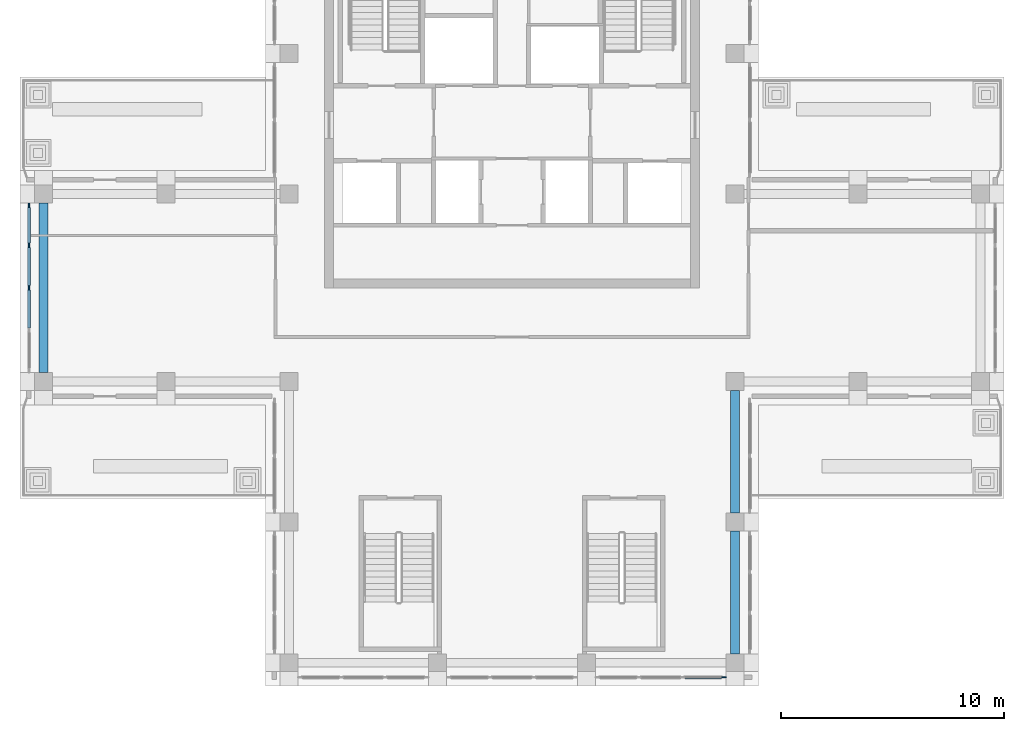
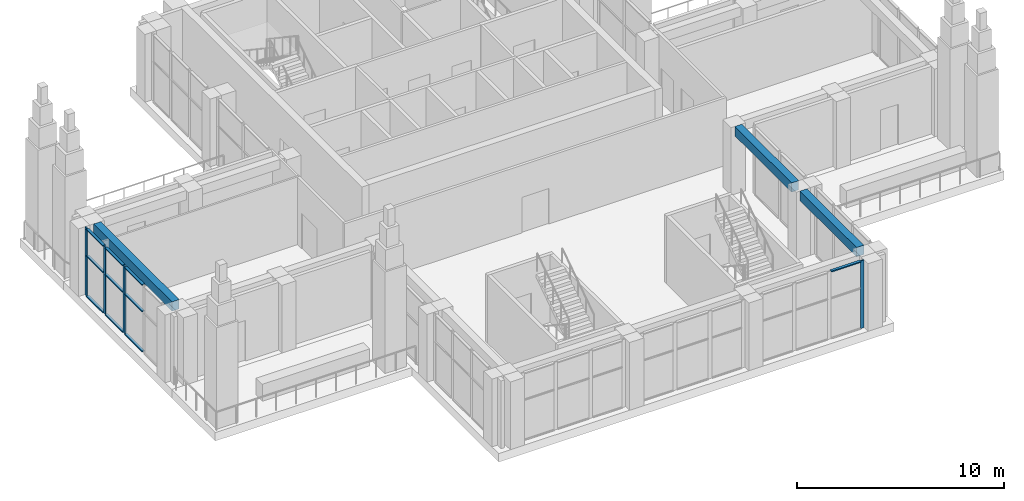
# One storey, part 3 of 14: 14 members, 3 beams, 2 elements without a shape of their own.
"""IFC4 building model written with IfcOpenShell, lengths in metres."""

from ifc_helpers import new_model, si_unit, direction, frame, origin, origin_2d, place, context, subcontext, project, spatial, rectangle, extrude, material, material_profile, profile_set, type_object, element, aggregate, save


model = new_model("IFC4")

# Units and contexts
model_context = context("Model", 3, precision=1e-05, world=origin(), true_north=direction((0.0, 1.0)))
body_context = subcontext(model_context, "Body", "Model", "MODEL_VIEW")
ifc_project = project(units=[si_unit("LENGTHUNIT", "METRE"), si_unit("AREAUNIT", "SQUARE_METRE"), si_unit("VOLUMEUNIT", "CUBIC_METRE"), si_unit("PLANEANGLEUNIT", "RADIAN"), si_unit("MASSUNIT", "GRAM", prefix="KILO")], contexts=[model_context])

# Site, building, storey
site_placement = place(None, origin())
site = spatial("IfcSite", under=ifc_project, at=site_placement, CompositionType="ELEMENT")
building_placement = place(site_placement, origin())
building = spatial("IfcBuilding", under=site, at=building_placement, Name="Vermilion Ogive Tower", CompositionType="ELEMENT")
storey_placement = place(building_placement, frame((0.0, 0.0, 284.85009765625)))
storey = spatial("IfcBuildingStorey", under=building, at=storey_placement, Name="L74", CompositionType="ELEMENT", Elevation=284.85009765625)

# Curtain wall, member
ifc_material_1 = material(Name="Low-iron laminated glazing in aluminium frame", Category="aluminium")
curtain_wall_type = type_object("IfcCurtainWallType", Name="Curtain wall CW3", PredefinedType="NOTDEFINED", material=ifc_material_1)
curtain_wall_1_placement = place(storey_placement, origin())
curtain_wall_1 = element("IfcCurtainWall", 1, at=curtain_wall_1_placement, inside=storey, type_object=curtain_wall_type, Name="CW3 glazing S3", PredefinedType="NOTDEFINED")
ifc_material_2 = material(Name="Aluminium mullion", Category="aluminium")
ifc_material_profile_1 = material_profile(ifc_material_2, rectangle(XDim=0.06005859375, YDim=0.199951171875, at=origin_2d()), Name="AL 60x200")
ifc_profile_set_1 = profile_set([ifc_material_profile_1], Name="Aluminium mullion")
member_type_1 = type_object("IfcMemberType", Name="CW3 mullion 60x200", PredefinedType="MULLION", material=ifc_profile_set_1)
member_1_placement = place(storey_placement, frame((9.5, -13.25, 0.0), z_axis=(0.0, 0.0, 1.0), x_axis=(0.0, 1.0, 0.0)))
member_1 = element("IfcMember", 2, at=member_1_placement, type_object=member_type_1, Name="CW3-S3 mullion 4", PredefinedType="MULLION", context=body_context, shape_type="SweptSolid", body=[
    extrude(rectangle(XDim=0.06005859375, YDim=0.199951171875, at=origin_2d()), origin(), (0.0, 0.0, 1.0), 4.0),
])

# Curtain wall, members
curtain_wall_2_placement = place(storey_placement, origin())
curtain_wall_2 = element("IfcCurtainWall", 3, at=curtain_wall_2_placement, inside=storey, type_object=curtain_wall_type, Name="CW3 glazing W1", PredefinedType="NOTDEFINED")
member_2_placement = place(storey_placement, frame((-21.64990234375, 7.89990234375, 0.0), z_axis=(0.0, 0.0, 1.0), x_axis=(1.0, 0.0, 0.0)))
member_2 = element("IfcMember", 4, at=member_2_placement, type_object=member_type_1, Name="CW3-W1 mullion 1", PredefinedType="MULLION", context=body_context, shape_type="SweptSolid", body=[
    extrude(rectangle(XDim=0.06005859375, YDim=0.199951171875, at=origin_2d()), origin(), (0.0, 0.0, 1.0), 4.0),
])
member_3_placement = place(storey_placement, frame((-21.64990234375, 6.10009765625, 0.0), z_axis=(0.0, 0.0, 1.0), x_axis=(1.0, 0.0, 0.0)))
member_3 = element("IfcMember", 5, at=member_3_placement, type_object=member_type_1, Name="CW3-W1 mullion 2", PredefinedType="MULLION", context=body_context, shape_type="SweptSolid", body=[
    extrude(rectangle(XDim=0.06005859375, YDim=0.199951171875, at=origin_2d()), origin(), (0.0, 0.0, 1.0), 4.0),
])
member_4_placement = place(storey_placement, frame((-21.64990234375, 4.199951171875, 0.0), z_axis=(0.0, 0.0, 1.0), x_axis=(1.0, 0.0, 0.0)))
member_4 = element("IfcMember", 6, at=member_4_placement, type_object=member_type_1, Name="CW3-W1 mullion 3", PredefinedType="MULLION", context=body_context, shape_type="SweptSolid", body=[
    extrude(rectangle(XDim=0.06005859375, YDim=0.199951171875, at=origin_2d()), origin(), (0.0, 0.0, 1.0), 4.0),
])

# Member
ifc_material_3 = material(Name="Aluminium transom", Category="aluminium")
ifc_material_profile_2 = material_profile(ifc_material_3, rectangle(XDim=0.14990234375, YDim=0.06005859375, at=origin_2d()), Name="AL 60x150")
ifc_profile_set_2 = profile_set([ifc_material_profile_2], Name="Aluminium transom")
member_type_2 = type_object("IfcMemberType", Name="CW3 transom 60x150", PredefinedType="USERDEFINED", material=ifc_profile_set_2)
member_5_placement = place(storey_placement, frame((7.744384765625, -13.25, 3.969970703125), z_axis=(1.0, 0.0, 0.0), x_axis=(0.0, 1.0, 0.0)))
member_5 = element("IfcMember", 7, at=member_5_placement, type_object=member_type_2, Name="CW3-S3 transom 3.3", ObjectType="TRANSOM", PredefinedType="USERDEFINED", context=body_context, shape_type="SweptSolid", body=[
    extrude(rectangle(XDim=0.14990234375, YDim=0.06005859375, at=origin_2d()), origin(), (0.0, 0.0, 1.0), 1.655517578125),
])

aggregate(curtain_wall_1, [member_1, member_5])

member_6_placement = place(storey_placement, frame((-21.64990234375, 7.800048828125, 0.02978515625), z_axis=(0.0, -1.0, 0.0), x_axis=(1.0, 0.0, 0.0)))
member_6 = element("IfcMember", 8, at=member_6_placement, type_object=member_type_2, Name="CW3-W1 transom 1.1", ObjectType="TRANSOM", PredefinedType="USERDEFINED", context=body_context, shape_type="SweptSolid", body=[
    extrude(rectangle(XDim=0.14990234375, YDim=0.06005859375, at=origin_2d()), origin(), (0.0, 0.0, 1.0), 1.60009765625),
])

member_7_placement = place(storey_placement, frame((-21.64990234375, 7.800048828125, 2.39990234375), z_axis=(0.0, -1.0, 0.0), x_axis=(1.0, 0.0, 0.0)))
member_7 = element("IfcMember", 9, at=member_7_placement, type_object=member_type_2, Name="CW3-W1 transom 1.2", ObjectType="TRANSOM", PredefinedType="USERDEFINED", context=body_context, shape_type="SweptSolid", body=[
    extrude(rectangle(XDim=0.14990234375, YDim=0.06005859375, at=origin_2d()), origin(), (0.0, 0.0, 1.0), 1.60009765625),
])

member_8_placement = place(storey_placement, frame((-21.64990234375, 7.800048828125, 3.969970703125), z_axis=(0.0, -1.0, 0.0), x_axis=(1.0, 0.0, 0.0)))
member_8 = element("IfcMember", 10, at=member_8_placement, type_object=member_type_2, Name="CW3-W1 transom 1.3", ObjectType="TRANSOM", PredefinedType="USERDEFINED", context=body_context, shape_type="SweptSolid", body=[
    extrude(rectangle(XDim=0.14990234375, YDim=0.06005859375, at=origin_2d()), origin(), (0.0, 0.0, 1.0), 1.60009765625),
])

member_9_placement = place(storey_placement, frame((-21.64990234375, 6.0, 0.02978515625), z_axis=(0.0, -1.0, 0.0), x_axis=(1.0, 0.0, 0.0)))
member_9 = element("IfcMember", 11, at=member_9_placement, type_object=member_type_2, Name="CW3-W1 transom 2.1", ObjectType="TRANSOM", PredefinedType="USERDEFINED", context=body_context, shape_type="SweptSolid", body=[
    extrude(rectangle(XDim=0.14990234375, YDim=0.06005859375, at=origin_2d()), origin(), (0.0, 0.0, 1.0), 1.699951171875),
])

member_10_placement = place(storey_placement, frame((-21.64990234375, 6.0, 2.39990234375), z_axis=(0.0, -1.0, 0.0), x_axis=(1.0, 0.0, 0.0)))
member_10 = element("IfcMember", 12, at=member_10_placement, type_object=member_type_2, Name="CW3-W1 transom 2.2", ObjectType="TRANSOM", PredefinedType="USERDEFINED", context=body_context, shape_type="SweptSolid", body=[
    extrude(rectangle(XDim=0.14990234375, YDim=0.06005859375, at=origin_2d()), origin(), (0.0, 0.0, 1.0), 1.699951171875),
])

member_11_placement = place(storey_placement, frame((-21.64990234375, 6.0, 3.969970703125), z_axis=(0.0, -1.0, 0.0), x_axis=(1.0, 0.0, 0.0)))
member_11 = element("IfcMember", 13, at=member_11_placement, type_object=member_type_2, Name="CW3-W1 transom 2.3", ObjectType="TRANSOM", PredefinedType="USERDEFINED", context=body_context, shape_type="SweptSolid", body=[
    extrude(rectangle(XDim=0.14990234375, YDim=0.06005859375, at=origin_2d()), origin(), (0.0, 0.0, 1.0), 1.699951171875),
])

member_12_placement = place(storey_placement, frame((-21.64990234375, 4.10009765625, 0.02978515625), z_axis=(0.0, -1.0, 0.0), x_axis=(1.0, 0.0, 0.0)))
member_12 = element("IfcMember", 14, at=member_12_placement, type_object=member_type_2, Name="CW3-W1 transom 3.1", ObjectType="TRANSOM", PredefinedType="USERDEFINED", context=body_context, shape_type="SweptSolid", body=[
    extrude(rectangle(XDim=0.14990234375, YDim=0.06005859375, at=origin_2d()), origin(), (0.0, 0.0, 1.0), 1.7001953125),
])

member_13_placement = place(storey_placement, frame((-21.64990234375, 4.10009765625, 2.39990234375), z_axis=(0.0, -1.0, 0.0), x_axis=(1.0, 0.0, 0.0)))
member_13 = element("IfcMember", 15, at=member_13_placement, type_object=member_type_2, Name="CW3-W1 transom 3.2", ObjectType="TRANSOM", PredefinedType="USERDEFINED", context=body_context, shape_type="SweptSolid", body=[
    extrude(rectangle(XDim=0.14990234375, YDim=0.06005859375, at=origin_2d()), origin(), (0.0, 0.0, 1.0), 1.7001953125),
])

member_14_placement = place(storey_placement, frame((-21.64990234375, 4.10009765625, 3.969970703125), z_axis=(0.0, -1.0, 0.0), x_axis=(1.0, 0.0, 0.0)))
member_14 = element("IfcMember", 16, at=member_14_placement, type_object=member_type_2, Name="CW3-W1 transom 3.3", ObjectType="TRANSOM", PredefinedType="USERDEFINED", context=body_context, shape_type="SweptSolid", body=[
    extrude(rectangle(XDim=0.14990234375, YDim=0.06005859375, at=origin_2d()), origin(), (0.0, 0.0, 1.0), 1.7001953125),
])

aggregate(curtain_wall_2, [member_2, member_3, member_4, member_6, member_7, member_8, member_9, member_10, member_11, member_12, member_13, member_14])

# Beams
ifc_material_4 = material(Name="Concrete B45", Category="concrete")
ifc_material_profile_3 = material_profile(ifc_material_4, rectangle(XDim=0.39990234375, YDim=0.550048828125, at=origin_2d()), Name="400 x 550")
ifc_profile_set_3 = profile_set([ifc_material_profile_3], Name="Concrete B45")
beam_type = type_object("IfcBeamType", Name="Edge beam 400 x 550 B45", PredefinedType="BEAM", material=ifc_profile_set_3)
for number, where, z_axis, x_axis, name in (
    (17, (10.0, -12.199951171875, 3.724853515625), (0.0, 1.0, 0.0), (-1.0, 0.0, 0.0), "L74-EB-4"),
    (18, (10.0, -5.89990234375, 3.724853515625), (0.0, 1.0, 0.0), (-1.0, 0.0, 0.0), "L74-EB-5"),
):
    element("IfcBeam", number, at=place(storey_placement, frame(where, z_axis=z_axis, x_axis=x_axis)), inside=storey, type_object=beam_type, Name=name, PredefinedType="BEAM", context=body_context, shape_type="SweptSolid", body=[
        extrude(rectangle(XDim=0.39990234375, YDim=0.550048828125, at=origin_2d()), origin(), (0.0, 0.0, 1.0), 5.5),
    ])
beam_placement = place(storey_placement, frame((-21.0, 8.0, 3.724853515625), z_axis=(0.0, -1.0, 0.0), x_axis=(1.0, 0.0, 0.0)))
element("IfcBeam", 19, at=beam_placement, inside=storey, type_object=beam_type, Name="L74-EB-13", PredefinedType="BEAM", context=body_context, shape_type="SweptSolid", body=[
    extrude(rectangle(XDim=0.39990234375, YDim=0.550048828125, at=origin_2d()), origin(), (0.0, 0.0, 1.0), 7.60009765625),
])

save(model, "model.ifc")
